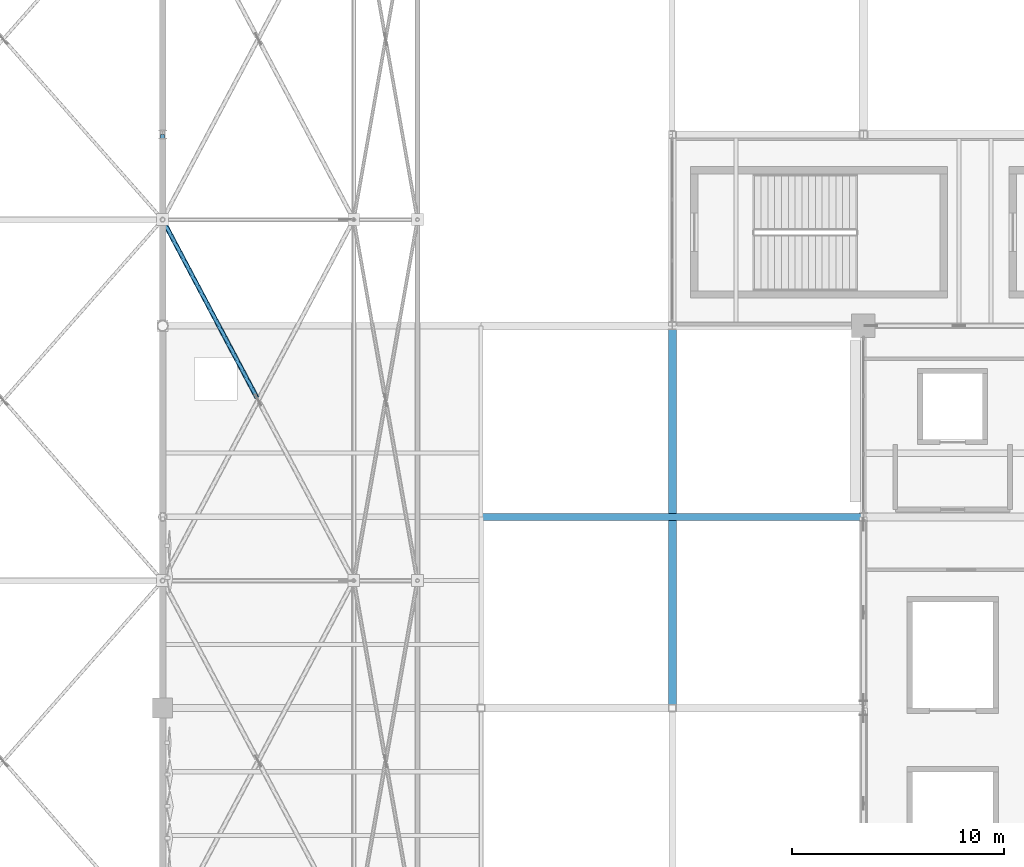
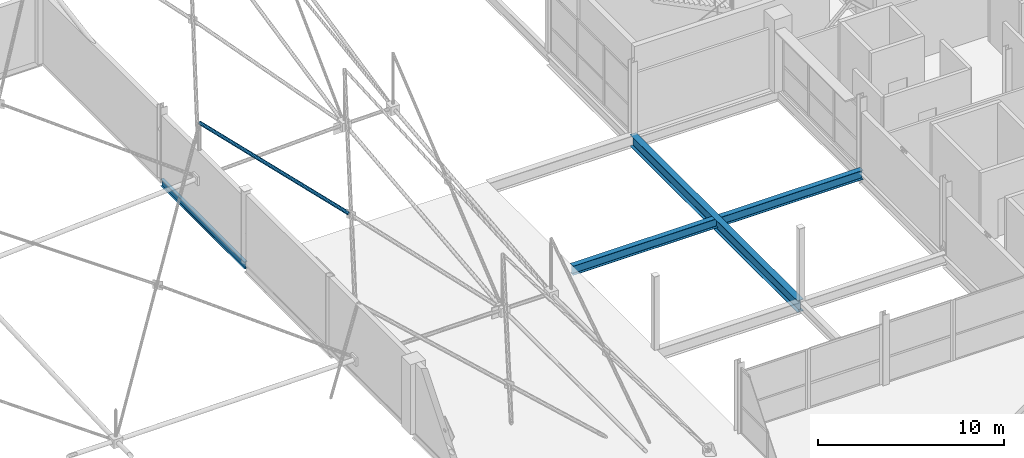
# One storey, part 145 of 224: 3 beams, 1 member.
"""IFC4 building model written with IfcOpenShell, lengths in metres."""

from ifc_helpers import new_model, si_unit, direction, frame, origin, origin_2d, place, context, subcontext, project, spatial, hollow_circle, i_section, extrude, material, material_profile, profile_set, type_object, element, save


model = new_model("IFC4")

# Units and contexts
model_context = context("Model", 3, precision=1e-05, world=origin(), true_north=direction((0.0, 1.0)))
body_context = subcontext(model_context, "Body", "Model", "MODEL_VIEW")
ifc_project = project(units=[si_unit("LENGTHUNIT", "METRE"), si_unit("AREAUNIT", "SQUARE_METRE"), si_unit("VOLUMEUNIT", "CUBIC_METRE"), si_unit("PLANEANGLEUNIT", "RADIAN"), si_unit("MASSUNIT", "GRAM", prefix="KILO")], contexts=[model_context])

# Site, building, storey
site_placement = place(None, origin())
site = spatial("IfcSite", under=ifc_project, at=site_placement, CompositionType="ELEMENT")
building_placement = place(site_placement, origin())
building = spatial("IfcBuilding", under=site, at=building_placement, Name="Qamarlyn Nura Convention Centre", CompositionType="ELEMENT")
storey_placement = place(building_placement, frame((0.0, 0.0, 10.800048828125)))
storey = spatial("IfcBuildingStorey", under=building, at=storey_placement, Name="L02", CompositionType="ELEMENT", Elevation=10.800048828125)

# Beams
ifc_material_1 = material(Name="Steel ASTM A992", Category="steel")
ifc_material_profile_1 = material_profile(ifc_material_1, i_section(OverallWidth=0.323974609375, OverallDepth=0.611083984375, WebThickness=0.0126953125, FlangeThickness=0.01904296875, FilletRadius=0.01611328125, at=origin_2d()), Name="W610X155")
ifc_profile_set_1 = profile_set([ifc_material_profile_1], Name="Steel ASTM A992")
beam_type_1 = type_object("IfcBeamType", Name="BM-GIRD-610", PredefinedType="BEAM", material=ifc_profile_set_1)
beam_1_placement = place(storey_placement, frame((135.0, 72.0, -0.3056640625), z_axis=(1.0, 0.0, 0.0), x_axis=(0.0, 1.0, 0.0)))
element("IfcBeam", 1, at=beam_1_placement, inside=storey, type_object=beam_type_1, Name="L02 girder J 11-13", PredefinedType="BEAM", context=body_context, shape_type="SweptSolid", body=[
    extrude(i_section(OverallWidth=0.323974609375, OverallDepth=0.611083984375, WebThickness=0.0126953125, FlangeThickness=0.01904296875, FilletRadius=0.01611328125, at=origin_2d()), origin(), (0.0, 0.0, 1.0), 18.0),
])
ifc_material_profile_2 = material_profile(ifc_material_1, i_section(OverallWidth=0.381103515625, OverallDepth=0.77294921875, WebThickness=0.0166015625, FlangeThickness=0.027587890625, FilletRadius=0.02001953125, at=origin_2d()), Name="W760X257")
ifc_profile_set_2 = profile_set([ifc_material_profile_2], Name="Steel ASTM A992")
beam_type_2 = type_object("IfcBeamType", Name="BM-GIRD-760", PredefinedType="BEAM", material=ifc_profile_set_2)
beam_2_placement = place(storey_placement, frame((144.0, 63.0, -0.386474609375), z_axis=(0.0, 1.0, 0.0), x_axis=(-1.0, 0.0, 0.0)))
element("IfcBeam", 2, at=beam_2_placement, inside=storey, type_object=beam_type_2, Name="L02 girder 12 H-K", PredefinedType="BEAM", context=body_context, shape_type="SweptSolid", body=[
    extrude(i_section(OverallWidth=0.381103515625, OverallDepth=0.77294921875, WebThickness=0.0166015625, FlangeThickness=0.027587890625, FilletRadius=0.02001953125, at=origin_2d()), origin(), (0.0, 0.0, 1.0), 18.0),
])
ifc_material_profile_3 = material_profile(ifc_material_1, i_section(OverallWidth=0.193115234375, OverallDepth=0.466064453125, WebThickness=0.011474609375, FlangeThickness=0.01904296875, FilletRadius=0.012939453125, at=origin_2d()), Name="W460X97")
ifc_profile_set_3 = profile_set([ifc_material_profile_3], Name="Steel ASTM A992")
beam_type_3 = type_object("IfcBeamType", Name="BM-SPAN-460", PredefinedType="SPANDREL", material=ifc_profile_set_3)
beam_3_placement = place(storey_placement, frame((120.0, 81.0, -0.233154296875), z_axis=(0.0, 1.0, 0.0), x_axis=(-1.0, 0.0, 0.0)))
element("IfcBeam", 3, at=beam_3_placement, inside=storey, type_object=beam_type_3, Name="L02 girder 9 K-L", PredefinedType="SPANDREL", context=body_context, shape_type="SweptSolid", body=[
    extrude(i_section(OverallWidth=0.193115234375, OverallDepth=0.466064453125, WebThickness=0.011474609375, FlangeThickness=0.01904296875, FilletRadius=0.012939453125, at=origin_2d()), origin(), (0.0, 0.0, 1.0), 9.0),
])

# Member
ifc_material_2 = material(Name="Pearl-white PVDF steel ASTM A500 Grade C", Category="steel")
ifc_material_profile_4 = material_profile(ifc_material_2, hollow_circle(Radius=0.109619140625, WallThickness=0.010009765625, at=origin_2d()), Name="CHS219.1X10")
ifc_profile_set_4 = profile_set([ifc_material_profile_4], Name="Pearl-white PVDF steel ASTM A500 Grade C")
member_type = type_object("IfcMemberType", Name="SF-WEB-HVY", PredefinedType="BRACE", material=ifc_profile_set_4)
member_placement = place(storey_placement, frame((124.436767578125, 77.61962890625, 3.650390625), z_axis=(-0.453211285383, 0.856046364501, 0.248564182106), x_axis=(-0.883783532399, -0.467896001116, 0.0)))
element("IfcMember", 4, at=member_placement, inside=storey, type_object=member_type, Name="ROOF TRUSS space frame split diagonal B2 10-5", PredefinedType="BRACE", context=body_context, shape_type="SweptSolid", body=[
    extrude(hollow_circle(Radius=0.109619140625, WallThickness=0.010009765625, at=origin_2d()), origin(), (0.0, 0.0, 1.0), 9.78955078125),
])

save(model, "model.ifc")
